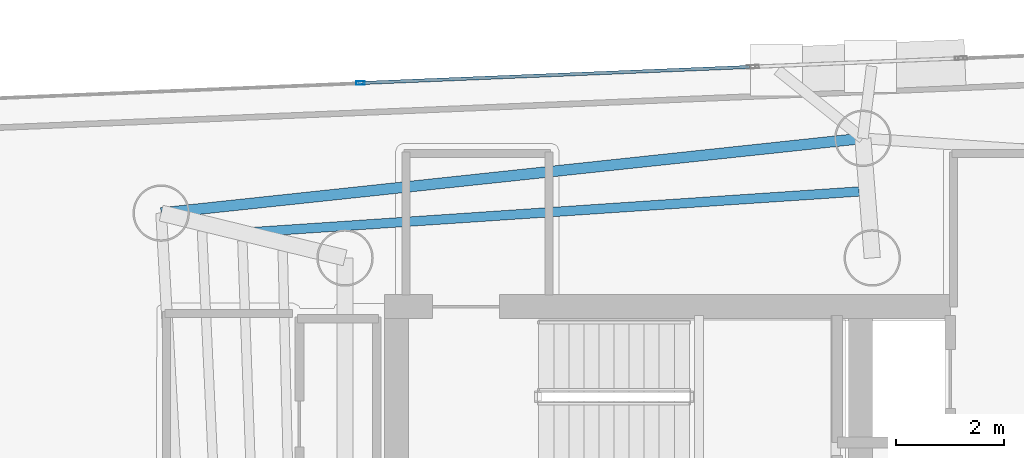
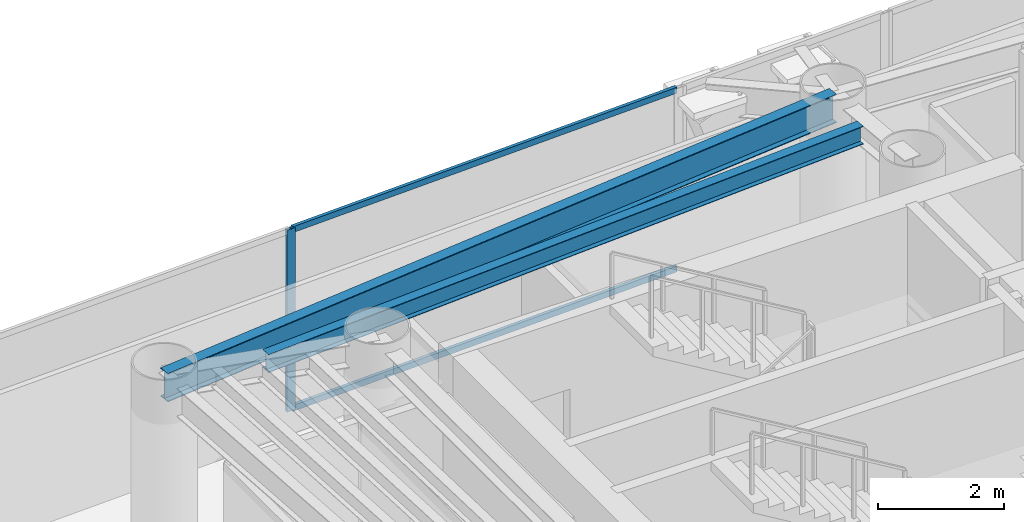
# One storey, part 9 of 19: 3 members, 2 beams, 1 element without a shape of its own.
"""IFC4 building model written with IfcOpenShell, lengths in metres."""

from ifc_helpers import new_model, si_unit, direction, frame, origin, origin_2d, place, context, subcontext, project, spatial, hollow_rectangle, i_section, extrude, material, layer, layer_set, material_profile, profile_set, type_object, element, aggregate, save


model = new_model("IFC4")

# Units and contexts
model_context = context("Model", 3, precision=1e-05, world=origin(), true_north=direction((0.0, 1.0)))
body_context = subcontext(model_context, "Body", "Model", "MODEL_VIEW")
ifc_project = project(units=[si_unit("LENGTHUNIT", "METRE"), si_unit("AREAUNIT", "SQUARE_METRE"), si_unit("VOLUMEUNIT", "CUBIC_METRE"), si_unit("PLANEANGLEUNIT", "RADIAN"), si_unit("MASSUNIT", "GRAM", prefix="KILO")], contexts=[model_context])

# Site, building, storey
site_placement = place(None, origin())
site = spatial("IfcSite", under=ifc_project, at=site_placement, CompositionType="ELEMENT")
building_placement = place(site_placement, origin())
building = spatial("IfcBuilding", under=site, at=building_placement, Name="Qianvela Tower", CompositionType="ELEMENT")
storey_placement = place(building_placement, frame((0.0, 0.0, 261.199951171875)))
storey = spatial("IfcBuildingStorey", under=building, at=storey_placement, Name="L67", CompositionType="ELEMENT", Elevation=261.199951171875)

# Beams
ifc_material_1 = material(Name="Steel Q355B", Category="steel")
ifc_material_profile_1 = material_profile(ifc_material_1, i_section(OverallWidth=0.175048828125, OverallDepth=0.35009765625, WebThickness=0.007080078125, FlangeThickness=0.010986328125, at=origin_2d()), Name="HN350x175x7x11")
ifc_profile_set_1 = profile_set([ifc_material_profile_1], Name="Steel Q355B")
beam_type_1 = type_object("IfcBeamType", Name="BM-HN350-JOIST", PredefinedType="JOIST", material=ifc_profile_set_1)
beam_1_placement = place(storey_placement, frame((38.15625, 34.78515625, 3.343017578125), z_axis=(-0.99776569919, -0.066810250112, 0.0), x_axis=(0.066810250112, -0.99776569919, 0.0)))
element("IfcBeam", 1, at=beam_1_placement, inside=storey, type_object=beam_type_1, Name="L67 Secondary Composite Floor Joist 2.2", PredefinedType="JOIST", context=body_context, shape_type="SweptSolid", body=[
    extrude(i_section(OverallWidth=0.175048828125, OverallDepth=0.35009765625, WebThickness=0.007080078125, FlangeThickness=0.010986328125, at=origin_2d()), origin(), (0.0, 0.0, 1.0), 11.35009765625),
])
ifc_material_2 = material(Name="Steel Q355B", Category="steel")
ifc_material_profile_2 = material_profile(ifc_material_2, i_section(OverallWidth=0.199951171875, OverallDepth=0.550048828125, WebThickness=0.010009765625, FlangeThickness=0.01611328125, at=origin_2d()), Name="HN550x200x10x16")
ifc_profile_set_2 = profile_set([ifc_material_profile_2], Name="Steel Q355B")
beam_type_2 = type_object("IfcBeamType", Name="BM-HN550-GIRD", PredefinedType="BEAM", material=ifc_profile_set_2)
beam_2_placement = place(storey_placement, frame((38.22509765625, 35.77294921875, 3.2431640625), z_axis=(-0.994378160395, -0.105887081975, 0.0), x_axis=(0.105887081975, -0.994378160395, 0.0)))
element("IfcBeam", 2, at=beam_2_placement, inside=storey, type_object=beam_type_2, Name="L67 Perimeter Ring Spandrel Girder 2", PredefinedType="BEAM", context=body_context, shape_type="SweptSolid", body=[
    extrude(i_section(OverallWidth=0.199951171875, OverallDepth=0.550048828125, WebThickness=0.010009765625, FlangeThickness=0.01611328125, at=origin_2d()), origin(), (0.0, 0.0, 1.0), 13.116943359375),
])

# Curtain wall, members
ifc_material_3 = material(Name="Anodised Architectural Aluminium and Low-E Glass", Category="aluminium")
ifc_layer = layer(ifc_material_3, 0.159912109375)
ifc_layer_set = layer_set([ifc_layer], Name="Anodised Architectural Aluminium and Low-E Glass")
curtain_wall_type = type_object("IfcCurtainWallType", Name="CW-COLIV-Z56", PredefinedType="USERDEFINED", material=ifc_layer_set)
curtain_wall_placement = place(storey_placement, origin())
curtain_wall = element("IfcCurtainWall", 3, at=curtain_wall_placement, inside=storey, type_object=curtain_wall_type, Name="L67 CW-COLIV-Z56 Curtain Wall 02C", ObjectType="CURTAIN_WALL_SYSTEM", PredefinedType="USERDEFINED")
ifc_material_4 = material(Name="Anodised Architectural Aluminium 6063-T6", Category="aluminium")
ifc_material_profile_3 = material_profile(ifc_material_4, hollow_rectangle(XDim=0.06494140625, YDim=0.159912109375, WallThickness=0.0048828125, at=origin_2d()), Name="ALU-MULL-65x160")
ifc_profile_set_3 = profile_set([ifc_material_profile_3], Name="Anodised Architectural Aluminium 6063-T6")
member_type_1 = type_object("IfcMemberType", Name="CW-COLIV-Z56-MULL", PredefinedType="MULLION", material=ifc_profile_set_3)
member_1_placement = place(storey_placement, frame((28.8857421875, 36.80126953125, 0.0), z_axis=(0.0, 0.0, 1.0), x_axis=(0.041299619949, -0.999146806727, 0.0)))
member_1 = element("IfcMember", 4, at=member_1_placement, type_object=member_type_1, Name="CW-5 mullion 2", PredefinedType="MULLION", context=body_context, shape_type="SweptSolid", body=[
    extrude(hollow_rectangle(XDim=0.06494140625, YDim=0.159912109375, WallThickness=0.0048828125, at=origin_2d()), origin(), (0.0, 0.0, 1.0), 3.52001953125),
])
ifc_material_5 = material(Name="Anodised Architectural Aluminium 6063-T6", Category="aluminium")
ifc_material_profile_4 = material_profile(ifc_material_5, hollow_rectangle(XDim=0.06005859375, YDim=0.114990234375, WallThickness=0.00390625, at=origin_2d()), Name="ALU-TRAN-60x115")
ifc_profile_set_4 = profile_set([ifc_material_profile_4], Name="Anodised Architectural Aluminium 6063-T6")
member_type_2 = type_object("IfcMemberType", Name="CW-COLIV-Z56-TRAN", PredefinedType="USERDEFINED", material=ifc_profile_set_4)
member_2_placement = place(storey_placement, frame((36.117431640625, 37.10009765625, 0.030029296875), z_axis=(-0.999148041054, -0.041269747491, 0.0), x_axis=(0.041269747491, -0.999148041054, 0.0)))
member_2 = element("IfcMember", 5, at=member_2_placement, type_object=member_type_2, Name="CW-5 transom 1.1", ObjectType="TRANSOM", PredefinedType="USERDEFINED", context=body_context, shape_type="SweptSolid", body=[
    extrude(hollow_rectangle(XDim=0.06005859375, YDim=0.114990234375, WallThickness=0.00390625, at=origin_2d()), origin(), (0.0, 0.0, 1.0), 7.205322265625),
])
member_3_placement = place(storey_placement, frame((36.117431640625, 37.10009765625, 3.489990234375), z_axis=(-0.999148041054, -0.041269747491, 0.0), x_axis=(0.041269747491, -0.999148041054, 0.0)))
member_3 = element("IfcMember", 6, at=member_3_placement, type_object=member_type_2, Name="CW-5 transom 1.2", ObjectType="TRANSOM", PredefinedType="USERDEFINED", context=body_context, shape_type="SweptSolid", body=[
    extrude(hollow_rectangle(XDim=0.06005859375, YDim=0.114990234375, WallThickness=0.00390625, at=origin_2d()), origin(), (0.0, 0.0, 1.0), 7.205322265625),
])
aggregate(curtain_wall, [member_1, member_2, member_3])

save(model, "model.ifc")
